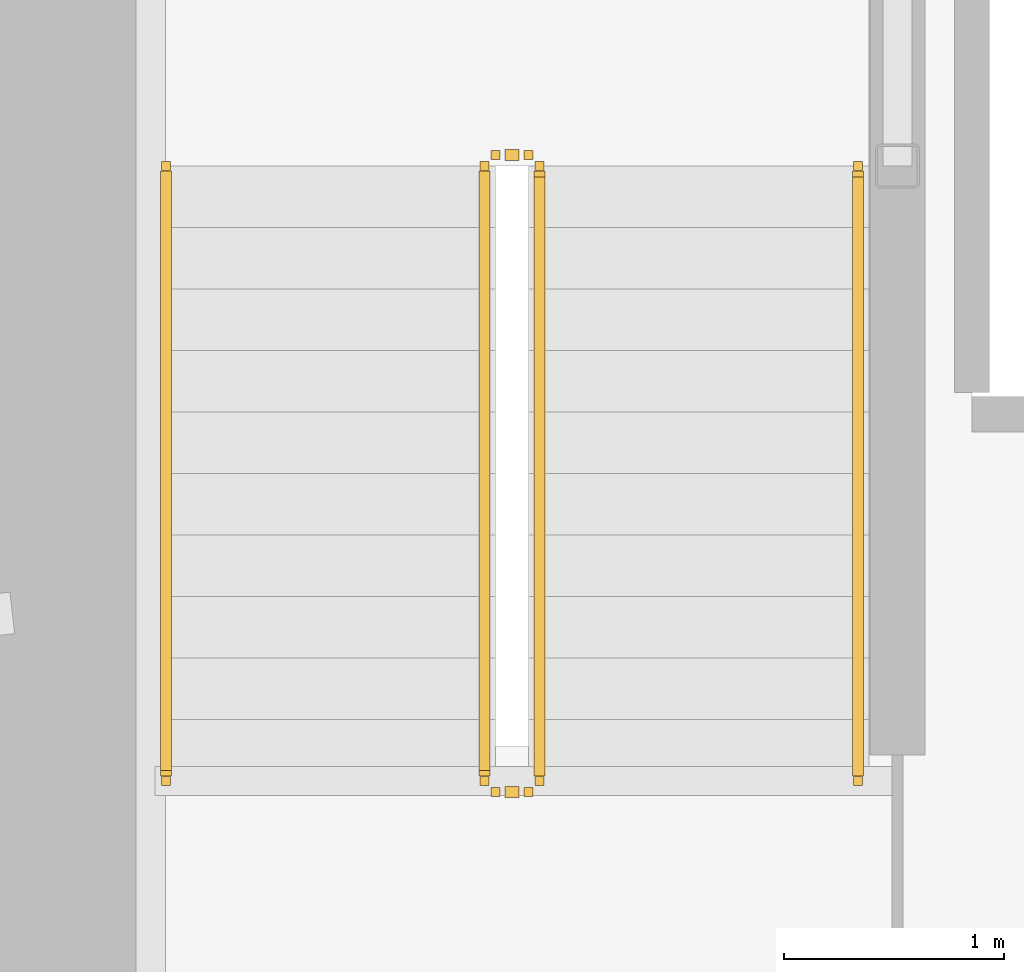
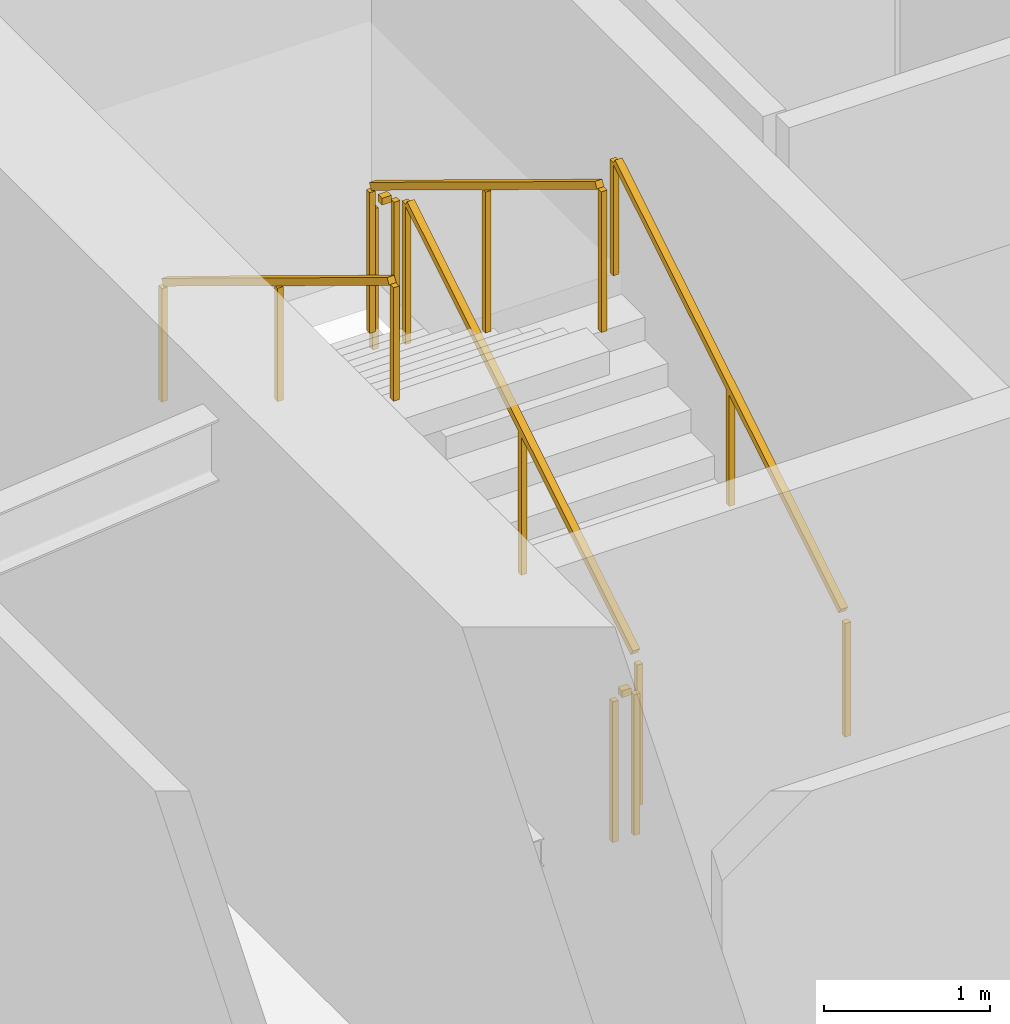
# One storey, part 17 of 20: 6 railings.
"""IFC4 building model written with IfcOpenShell, lengths in metres."""

from ifc_helpers import new_model, si_unit, direction, frame, origin, origin_2d, place, context, subcontext, project, spatial, rectangle, extrude, material, type_object, element, save


model = new_model("IFC4")

# Units and contexts
model_context = context("Model", 3, precision=1e-05, world=origin(), true_north=direction((0.0, 1.0)))
body_context = subcontext(model_context, "Body", "Model", "MODEL_VIEW")
ifc_project = project(units=[si_unit("LENGTHUNIT", "METRE"), si_unit("AREAUNIT", "SQUARE_METRE"), si_unit("VOLUMEUNIT", "CUBIC_METRE"), si_unit("PLANEANGLEUNIT", "RADIAN"), si_unit("MASSUNIT", "GRAM", prefix="KILO")], contexts=[model_context])

# Site, building, storey
site_placement = place(None, origin())
site = spatial("IfcSite", under=ifc_project, at=site_placement, CompositionType="ELEMENT")
building_placement = place(site_placement, origin())
building = spatial("IfcBuilding", under=site, at=building_placement, Name="Kazma Halo Residences", CompositionType="ELEMENT")
storey_placement = place(building_placement, frame((0.0, 0.0, 169.050048828125)))
storey = spatial("IfcBuildingStorey", under=building, at=storey_placement, Name="L42", CompositionType="ELEMENT", Elevation=169.050048828125)

# Railings
ifc_material_1 = material(Name="Painted Steel S355", Category="steel")
railing_type_1 = type_object("IfcRailingType", Name="RLG-STAIR-GRD-1100", PredefinedType="GUARDRAIL", material=ifc_material_1)
railing_1_placement = place(storey_placement, frame((39.550048828125, 39.949951171875, 0.17041015625)))
element("IfcRailing", 1, at=railing_1_placement, inside=storey, type_object=railing_type_1, Name="L42 ST-01 stair guard 1", PredefinedType="GUARDRAIL", context=body_context, shape_type="SweptSolid", body=[
    extrude(rectangle(XDim=0.050048828125, YDim=0.050048828125, at=origin_2d()), frame((0.0, 0.036376953125, 1.09716796875), z_axis=(0.0, 0.854169791009, 0.51999420009), x_axis=(-1.0, 0.0, 0.0)), (0.0, 0.0, 1.0), 3.193115234375),
    extrude(rectangle(XDim=0.0400390625, YDim=0.0400390625, at=origin_2d()), origin(), (0.0, 0.0, 1.0), 1.0380859375),
    extrude(rectangle(XDim=0.0400390625, YDim=0.0400390625, at=origin_2d()), frame((0.0, 1.39990234375, 0.852294921875)), (0.0, 0.0, 1.0), 1.0380859375),
    extrude(rectangle(XDim=0.0400390625, YDim=0.0400390625, at=origin_2d()), frame((0.0, 2.800048828125, 1.70458984375)), (0.0, 0.0, 1.0), 1.0380859375),
])
railing_2_placement = place(storey_placement, frame((39.5, 42.800048828125, 1.875)))
element("IfcRailing", 2, at=railing_2_placement, inside=storey, type_object=railing_type_1, Name="L42 ST-01 stair guard 2", PredefinedType="GUARDRAIL", context=body_context, shape_type="SweptSolid", body=[
    extrude(rectangle(XDim=0.050048828125, YDim=0.050048828125, at=origin_2d()), frame((-0.04248046875, 0.0, 1.0751953125), z_axis=(-1.0, 0.0, 0.0), x_axis=(0.0, -1.0, 0.0)), (0.0, 0.0, 1.0), 0.06494140625),
    extrude(rectangle(XDim=0.0400390625, YDim=0.0400390625, at=origin_2d()), origin(), (0.0, 0.0, 1.0), 1.0380859375),
    extrude(rectangle(XDim=0.0400390625, YDim=0.0400390625, at=origin_2d()), frame((-0.14990234375, 0.0, 0.0)), (0.0, 0.0, 1.0), 1.0380859375),
])
railing_3_placement = place(storey_placement, frame((39.300048828125, 42.75, 2.04541015625)))
element("IfcRailing", 3, at=railing_3_placement, inside=storey, type_object=railing_type_1, Name="L42 ST-01 stair guard 3", PredefinedType="GUARDRAIL", context=body_context, shape_type="SweptSolid", body=[
    extrude(rectangle(XDim=0.050048828125, YDim=0.050048828125, at=origin_2d()), frame((0.0, -0.036376953125, 1.09716796875), z_axis=(0.0, -0.854169791009, 0.51999420009), x_axis=(1.0, 0.0, 0.0)), (0.0, 0.0, 1.0), 3.193115234375),
    extrude(rectangle(XDim=0.0400390625, YDim=0.0400390625, at=origin_2d()), origin(), (0.0, 0.0, 1.0), 1.0380859375),
    extrude(rectangle(XDim=0.0400390625, YDim=0.0400390625, at=origin_2d()), frame((0.0, -1.39990234375, 0.852294921875)), (0.0, 0.0, 1.0), 1.0380859375),
    extrude(rectangle(XDim=0.0400390625, YDim=0.0400390625, at=origin_2d()), frame((0.0, -2.800048828125, 1.70458984375)), (0.0, 0.0, 1.0), 1.0380859375),
])
railing_4_placement = place(storey_placement, frame((39.5, 39.89990234375, 0.0)))
element("IfcRailing", 4, at=railing_4_placement, inside=storey, type_object=railing_type_1, Name="L42 ST-01 stair guard 4", PredefinedType="GUARDRAIL", context=body_context, shape_type="SweptSolid", body=[
    extrude(rectangle(XDim=0.050048828125, YDim=0.050048828125, at=origin_2d()), frame((-0.04248046875, 0.0, 1.0751953125), z_axis=(-1.0, 0.0, 0.0), x_axis=(0.0, -1.0, 0.0)), (0.0, 0.0, 1.0), 0.06494140625),
    extrude(rectangle(XDim=0.0400390625, YDim=0.0400390625, at=origin_2d()), origin(), (0.0, 0.0, 1.0), 1.0380859375),
    extrude(rectangle(XDim=0.0400390625, YDim=0.0400390625, at=origin_2d()), frame((-0.14990234375, 0.0, 0.0)), (0.0, 0.0, 1.0), 1.0380859375),
])
ifc_material_2 = material(Name="Brushed Stainless Steel", Category="steel")
railing_type_2 = type_object("IfcRailingType", Name="RLG-STAIR-HND-900", PredefinedType="HANDRAIL", material=ifc_material_2)
railing_5_placement = place(storey_placement, frame((41.0, 39.949951171875, 0.17041015625)))
element("IfcRailing", 5, at=railing_5_placement, inside=storey, type_object=railing_type_2, Name="L42 ST-01 stair handrail 1", PredefinedType="HANDRAIL", context=body_context, shape_type="SweptSolid", body=[
    extrude(rectangle(XDim=0.050048828125, YDim=0.050048828125, at=origin_2d()), frame((0.0, 0.036376953125, 0.89697265625), z_axis=(0.0, 0.854169791009, 0.51999420009), x_axis=(-1.0, 0.0, 0.0)), (0.0, 0.0, 1.0), 3.193115234375),
    extrude(rectangle(XDim=0.0400390625, YDim=0.0400390625, at=origin_2d()), origin(), (0.0, 0.0, 1.0), 0.837890625),
    extrude(rectangle(XDim=0.0400390625, YDim=0.0400390625, at=origin_2d()), frame((0.0, 1.39990234375, 0.852294921875)), (0.0, 0.0, 1.0), 0.837890625),
    extrude(rectangle(XDim=0.0400390625, YDim=0.0400390625, at=origin_2d()), frame((0.0, 2.800048828125, 1.70458984375)), (0.0, 0.0, 1.0), 0.837890625),
])
railing_6_placement = place(storey_placement, frame((37.85009765625, 42.75, 2.04541015625)))
element("IfcRailing", 6, at=railing_6_placement, inside=storey, type_object=railing_type_2, Name="L42 ST-01 stair handrail 2", PredefinedType="HANDRAIL", context=body_context, shape_type="SweptSolid", body=[
    extrude(rectangle(XDim=0.050048828125, YDim=0.050048828125, at=origin_2d()), frame((0.0, -0.036376953125, 0.89697265625), z_axis=(0.0, -0.854169791009, 0.51999420009), x_axis=(1.0, 0.0, 0.0)), (0.0, 0.0, 1.0), 3.193115234375),
    extrude(rectangle(XDim=0.0400390625, YDim=0.0400390625, at=origin_2d()), origin(), (0.0, 0.0, 1.0), 0.837890625),
    extrude(rectangle(XDim=0.0400390625, YDim=0.0400390625, at=origin_2d()), frame((0.0, -1.39990234375, 0.852294921875)), (0.0, 0.0, 1.0), 0.837890625),
    extrude(rectangle(XDim=0.0400390625, YDim=0.0400390625, at=origin_2d()), frame((0.0, -2.800048828125, 1.70458984375)), (0.0, 0.0, 1.0), 0.837890625),
])

save(model, "model.ifc")
